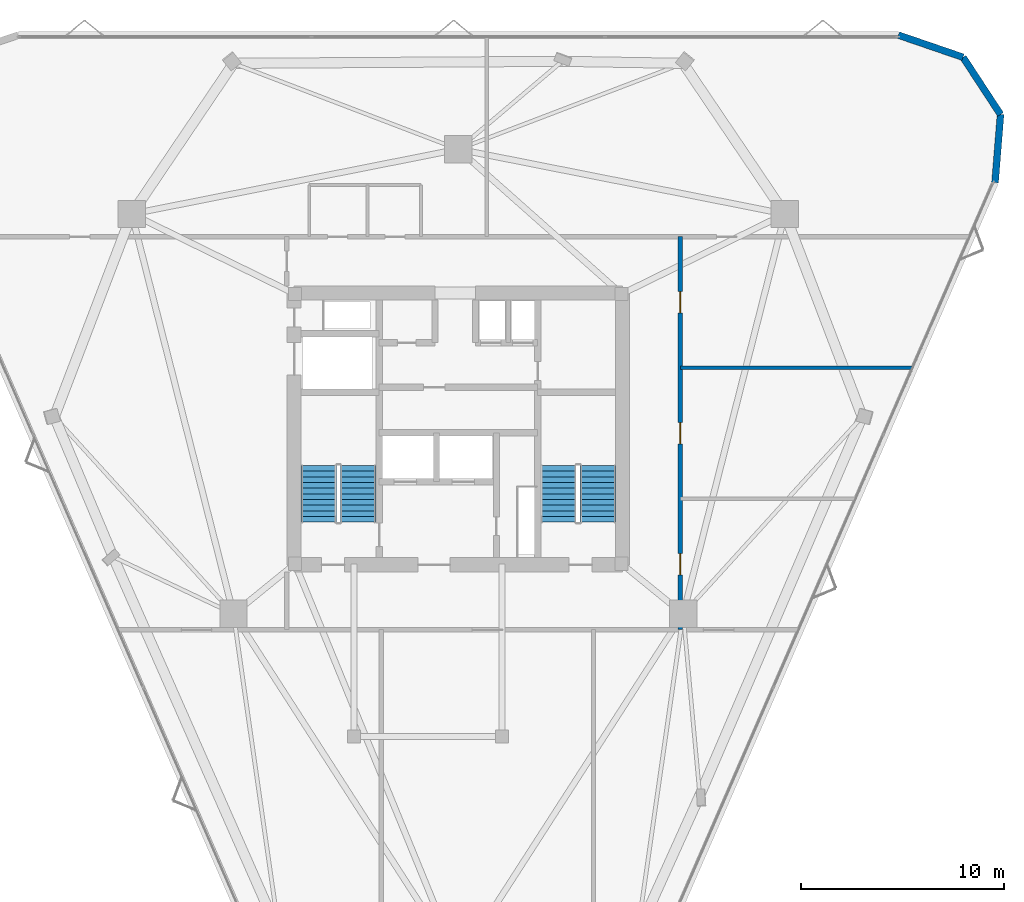
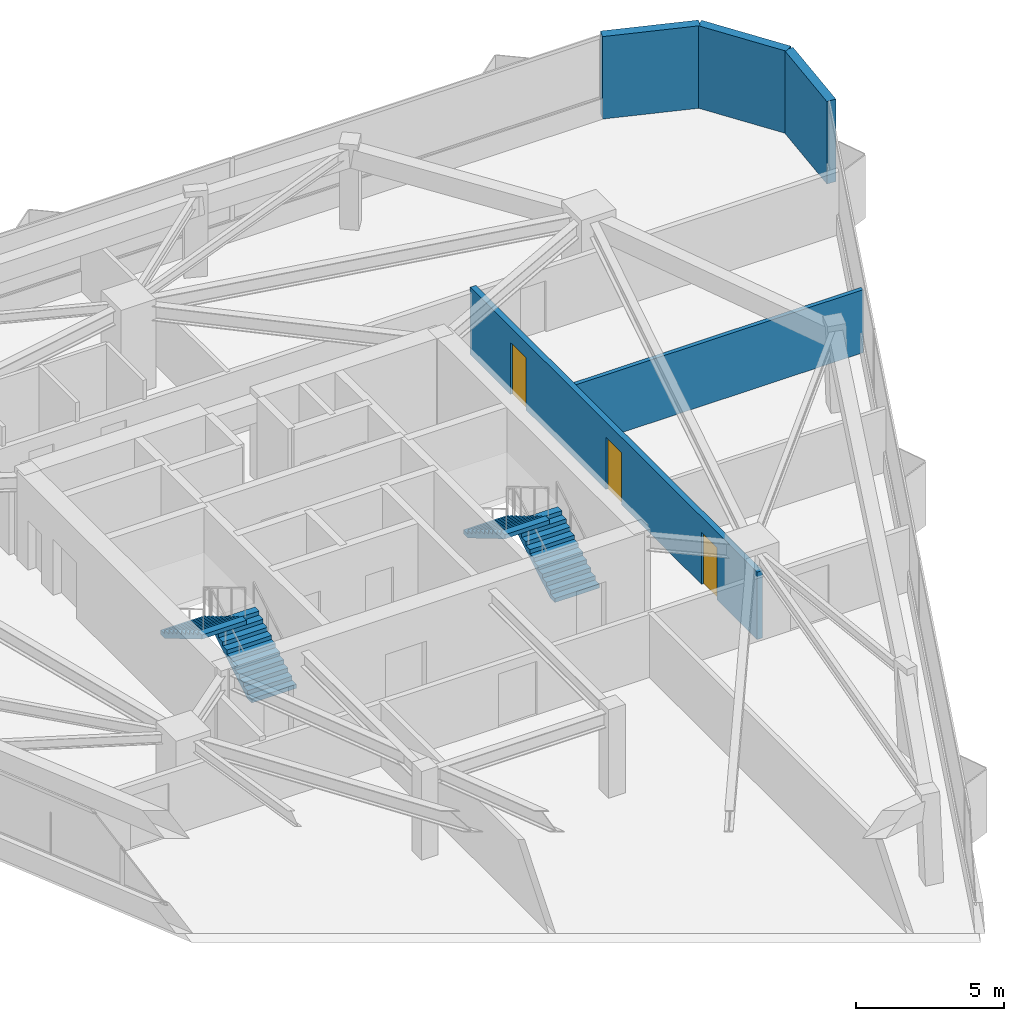
# One storey, part 11 of 12: 5 walls, 4 stair flights, 3 doors, 3 openings, 2 elements without a shape of their own.
"""IFC4 building model written with IfcOpenShell, lengths in metres."""

from ifc_helpers import new_model, si_unit, direction, frame, frame_2d, origin, place, context, subcontext, project, spatial, polyline, rectangle, outline, extrude, material, layer, layer_set, type_object, element, fill, aggregate, save


model = new_model("IFC4")

# Units and contexts
model_context = context("Model", 3, precision=1e-05, world=origin(), true_north=direction((0.0, 1.0)))
body_context = subcontext(model_context, "Body", "Model", "MODEL_VIEW")
ifc_project = project(units=[si_unit("LENGTHUNIT", "METRE"), si_unit("AREAUNIT", "SQUARE_METRE"), si_unit("VOLUMEUNIT", "CUBIC_METRE"), si_unit("PLANEANGLEUNIT", "RADIAN"), si_unit("MASSUNIT", "GRAM", prefix="KILO")], contexts=[model_context])

# Site, building, storey
site_placement = place(None, origin())
site = spatial("IfcSite", under=ifc_project, at=site_placement, CompositionType="ELEMENT")
building_placement = place(site_placement, origin())
building = spatial("IfcBuilding", under=site, at=building_placement, Name="Talyreon Biosciences Tower", CompositionType="ELEMENT")
storey_placement = place(building_placement, frame((0.0, 0.0, 186.699951171875)))
storey = spatial("IfcBuildingStorey", under=building, at=storey_placement, Name="L49", CompositionType="ELEMENT", Elevation=186.699951171875)

# Wall, openings, doors
ifc_material_1 = material(Name="Gypsum fireboard acoustic stud", Category="gypsum")
ifc_layer_1 = layer(ifc_material_1, 0.219970703125)
ifc_layer_set_1 = layer_set([ifc_layer_1], Name="Gypsum fireboard acoustic stud")
wall_type_1 = type_object("IfcWallType", Name="CorridorRatedPartition_220", PredefinedType="PARTITIONING", material=ifc_layer_set_1)
wall_1_placement = place(storey_placement, frame((76.949951171875, 58.10009765625, 0.0), z_axis=(0.0, 0.0, 1.0), x_axis=(0.0, 1.0, 0.0)))
wall_1 = element("IfcWall", 1, at=wall_1_placement, inside=storey, type_object=wall_type_1, Name="L49 Interior Wall IW-L49-COR-E", PredefinedType="PARTITIONING", context=body_context, shape_type="SweptSolid", body=[
    extrude(rectangle(XDim=19.3798828125, YDim=0.219970703125, at=frame_2d((9.68994140625, 0.0))), origin(), (0.0, 0.0, 1.0), 2.780029296875),
])
opening_1_placement = place(wall_1_placement, frame((2.705078125, 0.0, 0.0)))
opening_1 = element("IfcOpeningElement", 2, at=opening_1_placement, cuts=wall_1, Name="Opening DR-L49-E1A", PredefinedType="OPENING", context=body_context, shape_type="SweptSolid", body=[
    extrude(rectangle(XDim=1.050048828125, YDim=2.14990234375, at=frame_2d((0.52490234375, 1.074951171875))), frame((0.0, 0.119873046875, 0.0), z_axis=(0.0, -1.0, 0.0), x_axis=(1.0, 0.0, 0.0)), (0.0, 0.0, 1.0), 0.239990234375),
])
opening_2_placement = place(wall_1_placement, frame((9.1650390625, 0.0, 0.0)))
opening_2 = element("IfcOpeningElement", 3, at=opening_2_placement, cuts=wall_1, Name="Opening DR-L49-E2A", PredefinedType="OPENING", context=body_context, shape_type="SweptSolid", body=[
    extrude(rectangle(XDim=1.050048828125, YDim=2.14990234375, at=frame_2d((0.52490234375, 1.074951171875))), frame((0.0, 0.119873046875, 0.0), z_axis=(0.0, -1.0, 0.0), x_axis=(1.0, 0.0, 0.0)), (0.0, 0.0, 1.0), 0.239990234375),
])
opening_3_placement = place(wall_1_placement, frame((15.625, 0.0, 0.0)))
opening_3 = element("IfcOpeningElement", 4, at=opening_3_placement, cuts=wall_1, Name="Opening DR-L49-E3A", PredefinedType="OPENING", context=body_context, shape_type="SweptSolid", body=[
    extrude(rectangle(XDim=1.050048828125, YDim=2.14990234375, at=frame_2d((0.52490234375, 1.074951171875))), frame((0.0, 0.119873046875, 0.0), z_axis=(0.0, -1.0, 0.0), x_axis=(1.0, 0.0, 0.0)), (0.0, 0.0, 1.0), 0.239990234375),
])
ifc_material_2 = material(Name="Acoustic timber-core laboratory door", Category="wood")
door_type = type_object("IfcDoorType", Name="DryLabSingleDoor_1050x2150", OperationType="NOTDEFINED", PredefinedType="DOOR", material=ifc_material_2)
door_1_placement = place(opening_1_placement, origin())
door_1 = element("IfcDoor", 5, at=door_1_placement, inside=storey, type_object=door_type, Name="L49 Interior Door DR-L49-E1A", OperationType="SINGLE_SWING_LEFT", OverallHeight=2.14990234375, OverallWidth=1.050048828125, PredefinedType="DOOR", context=body_context, shape_type="SweptSolid", body=[
    extrude(rectangle(XDim=1.050048828125, YDim=2.14990234375, at=frame_2d((0.52490234375, 1.074951171875))), frame((0.0, 0.02490234375, 0.0), z_axis=(0.0, -1.0, 0.0), x_axis=(1.0, 0.0, 0.0)), (0.0, 0.0, 1.0), 0.050048828125),
])
fill(opening_1, door_1)
door_2_placement = place(opening_2_placement, origin())
door_2 = element("IfcDoor", 6, at=door_2_placement, inside=storey, type_object=door_type, Name="L49 Interior Door DR-L49-E2A", OperationType="SINGLE_SWING_LEFT", OverallHeight=2.14990234375, OverallWidth=1.050048828125, PredefinedType="DOOR", context=body_context, shape_type="SweptSolid", body=[
    extrude(rectangle(XDim=1.050048828125, YDim=2.14990234375, at=frame_2d((0.52490234375, 1.074951171875))), frame((0.0, 0.02490234375, 0.0), z_axis=(0.0, -1.0, 0.0), x_axis=(1.0, 0.0, 0.0)), (0.0, 0.0, 1.0), 0.050048828125),
])
fill(opening_2, door_2)
door_3_placement = place(opening_3_placement, origin())
door_3 = element("IfcDoor", 7, at=door_3_placement, inside=storey, type_object=door_type, Name="L49 Interior Door DR-L49-E3A", OperationType="SINGLE_SWING_RIGHT", OverallHeight=2.14990234375, OverallWidth=1.050048828125, PredefinedType="DOOR", context=body_context, shape_type="SweptSolid", body=[
    extrude(rectangle(XDim=1.050048828125, YDim=2.14990234375, at=frame_2d((0.52490234375, 1.074951171875))), frame((0.0, 0.02490234375, 0.0), z_axis=(0.0, -1.0, 0.0), x_axis=(1.0, 0.0, 0.0)), (0.0, 0.0, 1.0), 0.050048828125),
])
fill(opening_3, door_3)

# Walls
ifc_material_3 = material(Name="Gypsum acoustic stud partition", Category="gypsum")
ifc_layer_2 = layer(ifc_material_3, 0.159912109375)
ifc_layer_set_2 = layer_set([ifc_layer_2], Name="Gypsum acoustic stud partition")
wall_type_2 = type_object("IfcWallType", Name="LabSeparationPartition_160", PredefinedType="PARTITIONING", material=ifc_layer_set_2)
wall_2_placement = place(storey_placement, frame((76.949951171875, 71.02001953125, 0.0), z_axis=(0.0, 0.0, 1.0), x_axis=(1.0, 0.0, 0.0)))
element("IfcWall", 8, at=wall_2_placement, inside=storey, type_object=wall_type_2, Name="L49 Interior Wall IW-L49-EDIV2", PredefinedType="PARTITIONING", context=body_context, shape_type="SweptSolid", body=[
    extrude(rectangle(XDim=11.450439453125, YDim=0.159912109375, at=frame_2d((5.72509765625, 0.0))), origin(), (0.0, 0.0, 1.0), 2.60009765625),
])
ifc_material_4 = material(Name="Precast concrete C45/55", Category="concrete")
ifc_layer_3 = layer(ifc_material_4, 0.340087890625)
ifc_layer_set_3 = layer_set([ifc_layer_3], Name="Precast concrete C45/55")
wall_type_3 = type_object("IfcWallType", Name="PrecastConcreteSpandrelWall_340", PredefinedType="STANDARD", material=ifc_layer_set_3)
wall_3_placement = place(storey_placement, frame((87.6962890625, 87.4189453125, 0.0), z_axis=(0.0, 0.0, 1.0), x_axis=(0.945963079191, -0.324274348056, 0.0)))
element("IfcWall", 9, at=wall_3_placement, inside=storey, type_object=wall_type_3, Name="L49 Rounded-Corner Concrete Pier 05", PredefinedType="STANDARD", context=body_context, shape_type="SweptSolid", body=[
    extrude(rectangle(XDim=3.3720703125, YDim=0.340087890625, at=frame_2d((1.68603515625, 0.0))), origin(), (0.0, 0.0, 1.0), 3.400146484375),
])
for number, where, z_axis, x_axis, name in (
    (10, (90.88623046875, 86.325439453125, 0.0), (0.0, 0.0, 1.0), (0.548117081497, -0.83640161703, 0.0), "L49 Rounded-Corner Concrete Pier 06"),
    (11, (92.734619140625, 83.5048828125, 0.0), (0.0, 0.0, 1.0), (-0.080217124827, -0.996777413912, 0.0), "L49 Rounded-Corner Concrete Pier 07"),
):
    element("IfcWall", number, at=place(storey_placement, frame(where, z_axis=z_axis, x_axis=x_axis)), inside=storey, type_object=wall_type_3, Name=name, PredefinedType="STANDARD", context=body_context, shape_type="SweptSolid", body=[
        extrude(rectangle(XDim=3.372314453125, YDim=0.340087890625, at=frame_2d((1.68603515625, 0.0))), origin(), (0.0, 0.0, 1.0), 3.400146484375),
    ])

# Stair, stair flights
ifc_material_5 = material(Name="Concrete C40/50", Category="concrete")
stair_type = type_object("IfcStairType", Name="DoglegEscapeStair_3650", PredefinedType="HALF_TURN_STAIR", material=ifc_material_5)
stair_1_placement = place(storey_placement, origin())
stair_1 = element("IfcStair", 12, at=stair_1_placement, inside=storey, type_object=stair_type, Name="L49 Core Escape Stair 1", PredefinedType="HALF_TURN_STAIR")
stair_flight_type = type_object("IfcStairFlightType", Name="PrecastStairFlight_3650", PredefinedType="STRAIGHT", material=ifc_material_5)
stair_flight_1_placement = place(storey_placement, frame((61.06005859375, 63.39990234375, 0.0), z_axis=(0.0, 0.0, 1.0), x_axis=(0.0, 1.0, 0.0)))
stair_flight_1 = element("IfcStairFlight", 13, at=stair_flight_1_placement, type_object=stair_flight_type, Name="ST-1 flight 1", NumberOfRisers=11, NumberOfTreads=10, PredefinedType="STRAIGHT", RiserHeight=0.165909091, TreadLength=0.28, context=body_context, shape_type="SweptSolid", body=[
    extrude(outline(polyline([(0.0, 0.0), (0.0, 0.166015625), (0.280029296875, 0.166015625), (0.280029296875, 0.331787109375), (0.56005859375, 0.331787109375), (0.56005859375, 0.497802734375), (0.840087890625, 0.497802734375), (0.840087890625, 0.66357421875), (1.1201171875, 0.66357421875), (1.1201171875, 0.82958984375), (1.39990234375, 0.82958984375), (1.39990234375, 0.995361328125), (1.679931640625, 0.995361328125), (1.679931640625, 1.161376953125), (1.9599609375, 1.161376953125), (1.9599609375, 1.327392578125), (2.239990234375, 1.327392578125), (2.239990234375, 1.4931640625), (2.52001953125, 1.4931640625), (2.52001953125, 1.6591796875), (2.800048828125, 1.6591796875), (2.800048828125, 1.824951171875), (2.800048828125, 1.48486328125), (0.2939453125, 0.0), (0.0, 0.0)])), frame((0.0, 0.8701171875, 0.0), z_axis=(0.0, -1.0, 0.0), x_axis=(1.0, 0.0, 0.0)), (0.0, 0.0, 1.0), 1.739990234375),
])
stair_flight_2_placement = place(storey_placement, frame((59.1201171875, 66.199951171875, 1.824951171875), z_axis=(0.0, 0.0, 1.0), x_axis=(0.0, -1.0, 0.0)))
stair_flight_2 = element("IfcStairFlight", 14, at=stair_flight_2_placement, type_object=stair_flight_type, Name="ST-1 flight 2", NumberOfRisers=11, NumberOfTreads=10, PredefinedType="STRAIGHT", RiserHeight=0.165909091, TreadLength=0.28, context=body_context, shape_type="SweptSolid", body=[
    extrude(outline(polyline([(0.0, 0.0), (0.0, 0.166015625), (0.280029296875, 0.166015625), (0.280029296875, 0.331787109375), (0.56005859375, 0.331787109375), (0.56005859375, 0.497802734375), (0.840087890625, 0.497802734375), (0.840087890625, 0.66357421875), (1.1201171875, 0.66357421875), (1.1201171875, 0.82958984375), (1.39990234375, 0.82958984375), (1.39990234375, 0.995361328125), (1.679931640625, 0.995361328125), (1.679931640625, 1.161376953125), (1.9599609375, 1.161376953125), (1.9599609375, 1.327392578125), (2.239990234375, 1.327392578125), (2.239990234375, 1.4931640625), (2.52001953125, 1.4931640625), (2.52001953125, 1.6591796875), (2.800048828125, 1.6591796875), (2.800048828125, 1.824951171875), (2.800048828125, 1.48486328125), (0.2939453125, 0.0), (0.0, 0.0)])), frame((0.0, 0.8701171875, 0.0), z_axis=(0.0, -1.0, 0.0), x_axis=(1.0, 0.0, 0.0)), (0.0, 0.0, 1.0), 1.739990234375),
])
aggregate(stair_1, [stair_flight_1, stair_flight_2])

stair_2_placement = place(storey_placement, origin())
stair_2 = element("IfcStair", 15, at=stair_2_placement, inside=storey, type_object=stair_type, Name="L49 Core Escape Stair 2", PredefinedType="HALF_TURN_STAIR")
stair_flight_3_placement = place(storey_placement, frame((72.8798828125, 63.39990234375, 0.0), z_axis=(0.0, 0.0, 1.0), x_axis=(0.0, 1.0, 0.0)))
stair_flight_3 = element("IfcStairFlight", 16, at=stair_flight_3_placement, type_object=stair_flight_type, Name="ST-2 flight 1", NumberOfRisers=11, NumberOfTreads=10, PredefinedType="STRAIGHT", RiserHeight=0.165909091, TreadLength=0.28, context=body_context, shape_type="SweptSolid", body=[
    extrude(outline(polyline([(0.0, 0.0), (0.0, 0.166015625), (0.280029296875, 0.166015625), (0.280029296875, 0.331787109375), (0.56005859375, 0.331787109375), (0.56005859375, 0.497802734375), (0.840087890625, 0.497802734375), (0.840087890625, 0.66357421875), (1.1201171875, 0.66357421875), (1.1201171875, 0.82958984375), (1.39990234375, 0.82958984375), (1.39990234375, 0.995361328125), (1.679931640625, 0.995361328125), (1.679931640625, 1.161376953125), (1.9599609375, 1.161376953125), (1.9599609375, 1.327392578125), (2.239990234375, 1.327392578125), (2.239990234375, 1.4931640625), (2.52001953125, 1.4931640625), (2.52001953125, 1.6591796875), (2.800048828125, 1.6591796875), (2.800048828125, 1.824951171875), (2.800048828125, 1.48486328125), (0.2939453125, 0.0), (0.0, 0.0)])), frame((0.0, 0.8701171875, 0.0), z_axis=(0.0, -1.0, 0.0), x_axis=(1.0, 0.0, 0.0)), (0.0, 0.0, 1.0), 1.739990234375),
])
stair_flight_4_placement = place(storey_placement, frame((70.93994140625, 66.199951171875, 1.824951171875), z_axis=(0.0, 0.0, 1.0), x_axis=(0.0, -1.0, 0.0)))
stair_flight_4 = element("IfcStairFlight", 17, at=stair_flight_4_placement, type_object=stair_flight_type, Name="ST-2 flight 2", NumberOfRisers=11, NumberOfTreads=10, PredefinedType="STRAIGHT", RiserHeight=0.165909091, TreadLength=0.28, context=body_context, shape_type="SweptSolid", body=[
    extrude(outline(polyline([(0.0, 0.0), (0.0, 0.166015625), (0.280029296875, 0.166015625), (0.280029296875, 0.331787109375), (0.56005859375, 0.331787109375), (0.56005859375, 0.497802734375), (0.840087890625, 0.497802734375), (0.840087890625, 0.66357421875), (1.1201171875, 0.66357421875), (1.1201171875, 0.82958984375), (1.39990234375, 0.82958984375), (1.39990234375, 0.995361328125), (1.679931640625, 0.995361328125), (1.679931640625, 1.161376953125), (1.9599609375, 1.161376953125), (1.9599609375, 1.327392578125), (2.239990234375, 1.327392578125), (2.239990234375, 1.4931640625), (2.52001953125, 1.4931640625), (2.52001953125, 1.6591796875), (2.800048828125, 1.6591796875), (2.800048828125, 1.824951171875), (2.800048828125, 1.48486328125), (0.2939453125, 0.0), (0.0, 0.0)])), frame((0.0, 0.8701171875, 0.0), z_axis=(0.0, -1.0, 0.0), x_axis=(1.0, 0.0, 0.0)), (0.0, 0.0, 1.0), 1.739990234375),
])
aggregate(stair_2, [stair_flight_3, stair_flight_4])

save(model, "model.ifc")
